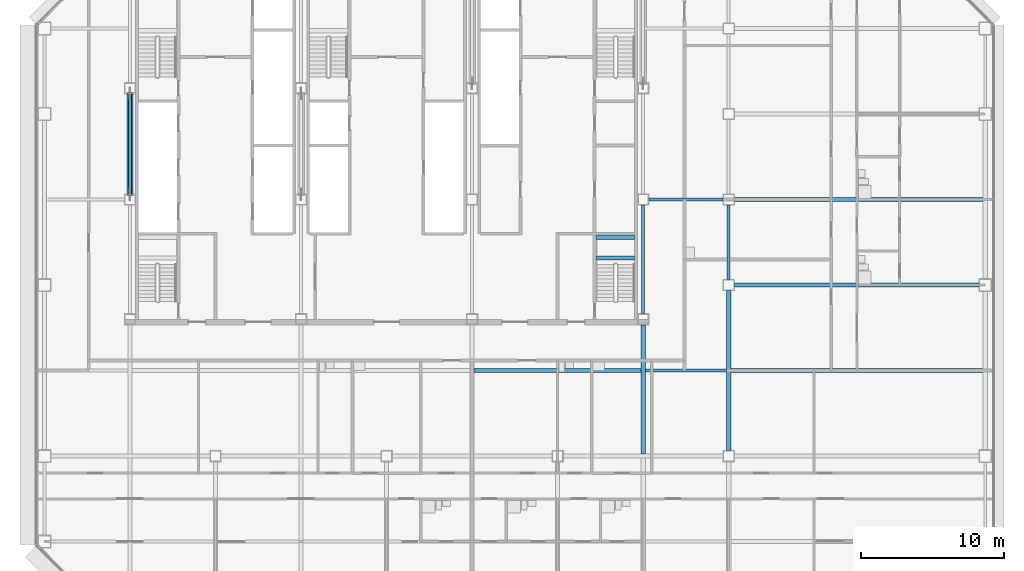
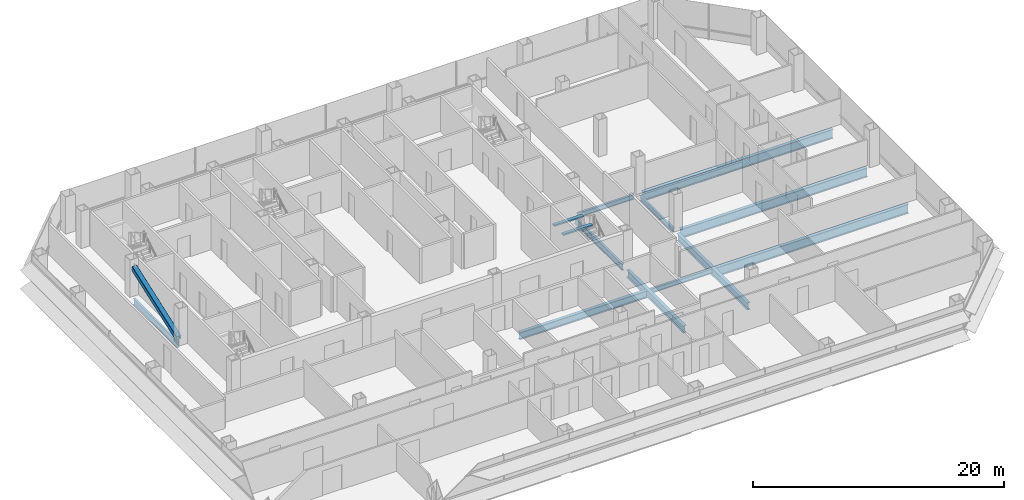
# One storey, part 10 of 26: 13 beams, 1 member.
"""IFC4 building model written with IfcOpenShell, lengths in metres."""

from ifc_helpers import new_model, si_unit, direction, frame, origin, origin_2d, place, context, subcontext, project, spatial, rectangle, hollow_rectangle, i_section, extrude, material, material_profile, profile_set, type_object, element, save


model = new_model("IFC4")

# Units and contexts
model_context = context("Model", 3, precision=1e-05, world=origin(), true_north=direction((0.0, 1.0)))
body_context = subcontext(model_context, "Body", "Model", "MODEL_VIEW")
ifc_project = project(units=[si_unit("LENGTHUNIT", "METRE"), si_unit("AREAUNIT", "SQUARE_METRE"), si_unit("VOLUMEUNIT", "CUBIC_METRE"), si_unit("PLANEANGLEUNIT", "RADIAN"), si_unit("MASSUNIT", "GRAM", prefix="KILO")], contexts=[model_context])

# Site, building, storey
site_placement = place(None, origin())
site = spatial("IfcSite", under=ifc_project, at=site_placement, CompositionType="ELEMENT")
building_placement = place(site_placement, origin())
building = spatial("IfcBuilding", under=site, at=building_placement, Name="Sorahane Residences", CompositionType="ELEMENT")
storey_placement = place(building_placement, frame((0.0, 0.0, 71.39990234375)))
storey = spatial("IfcBuildingStorey", under=building, at=storey_placement, Name="L14", CompositionType="ELEMENT", Elevation=71.39990234375)

# Member
ifc_material_1 = material(Name="Steel Q355B", Category="steel")
ifc_material_profile_1 = material_profile(ifc_material_1, hollow_rectangle(XDim=0.449951171875, YDim=0.449951171875, WallThickness=0.02197265625, InnerFilletRadius=0.010986328125, OuterFilletRadius=0.032958984375, at=origin_2d()), Name="RHS 450x450x22")
ifc_profile_set_1 = profile_set([ifc_material_profile_1], Name="Steel Q355B")
member_type = type_object("IfcMemberType", Name="Core brace RHS 450x450x22 Q355B", PredefinedType="BRACE", material=ifc_profile_set_1)
member_placement = place(storey_placement, frame((6.0, 30.354248046875, 0.208740234375), z_axis=(0.0, 0.940896908935, 0.338693086371), x_axis=(-1.0, 0.0, 0.0)))
element("IfcMember", 1, at=member_placement, inside=storey, type_object=member_type, Name="Core brace L14 x6-2", PredefinedType="BRACE", context=body_context, shape_type="SweptSolid", body=[
    extrude(hollow_rectangle(XDim=0.449951171875, YDim=0.449951171875, WallThickness=0.02197265625, InnerFilletRadius=0.010986328125, OuterFilletRadius=0.032958984375, at=origin_2d()), origin(), (0.0, 0.0, 1.0), 7.537109375),
])

# Beams
ifc_material_2 = material(Name="Concrete C40", Category="concrete")
ifc_material_profile_2 = material_profile(ifc_material_2, rectangle(XDim=0.300048828125, YDim=0.139892578125, at=origin_2d()), Name="300x140")
ifc_profile_set_2 = profile_set([ifc_material_profile_2], Name="Concrete C40")
beam_type_1 = type_object("IfcBeamType", Name="RC landing beam 300 x 140 Concrete C40", PredefinedType="BEAM", material=ifc_profile_set_2)
for number, where, z_axis, x_axis, name in (
    (2, (38.699951171875, 25.89990234375, 1.530029296875), (1.0, 0.0, 0.0), (0.0, 1.0, 0.0), "Landing beam"),
    (3, (38.699951171875, 27.35009765625, 1.530029296875), (1.0, 0.0, 0.0), (0.0, 1.0, 0.0), "Landing beam"),
):
    element("IfcBeam", number, at=place(storey_placement, frame(where, z_axis=z_axis, x_axis=x_axis)), inside=storey, type_object=beam_type_1, Name=name, PredefinedType="BEAM", context=body_context, shape_type="SweptSolid", body=[
        extrude(rectangle(XDim=0.300048828125, YDim=0.139892578125, at=origin_2d()), origin(), (0.0, 0.0, 1.0), 2.699951171875),
    ])
ifc_material_3 = material(Name="Steel Q355B", Category="steel")
ifc_material_profile_3 = material_profile(ifc_material_3, i_section(OverallWidth=0.199951171875, OverallDepth=0.449951171875, WebThickness=0.009033203125, FlangeThickness=0.013916015625, FilletRadius=0.02001953125, at=origin_2d()), Name="HN 450x200x9x14")
ifc_profile_set_3 = profile_set([ifc_material_profile_3], Name="Steel Q355B")
beam_type_2 = type_object("IfcBeamType", Name="Steel floor beam HN 450x200x9x14 Q355B", PredefinedType="BEAM", material=ifc_profile_set_3)
beam_1_placement = place(storey_placement, frame((48.0, 24.39990234375, -0.40478515625), z_axis=(0.0, 1.0, 0.0), x_axis=(-1.0, 0.0, 0.0)))
element("IfcBeam", 4, at=beam_1_placement, inside=storey, type_object=beam_type_2, Name="Beam L14 053", PredefinedType="BEAM", context=body_context, shape_type="SweptSolid", body=[
    extrude(i_section(OverallWidth=0.199951171875, OverallDepth=0.449951171875, WebThickness=0.009033203125, FlangeThickness=0.013916015625, FilletRadius=0.02001953125, at=origin_2d()), origin(), (0.0, 0.0, 1.0), 5.2001953125),
])
beam_2_placement = place(storey_placement, frame((42.14990234375, 18.0, -0.40478515625), z_axis=(1.0, 0.0, 0.0), x_axis=(0.0, 1.0, 0.0)))
element("IfcBeam", 5, at=beam_2_placement, inside=storey, type_object=beam_type_2, Name="Beam L14 074", PredefinedType="BEAM", context=body_context, shape_type="SweptSolid", body=[
    extrude(i_section(OverallWidth=0.199951171875, OverallDepth=0.449951171875, WebThickness=0.009033203125, FlangeThickness=0.013916015625, FilletRadius=0.02001953125, at=origin_2d()), origin(), (0.0, 0.0, 1.0), 5.7001953125),
])
beam_3_placement = place(storey_placement, frame((42.39990234375, 30.0, -0.40478515625), z_axis=(1.0, 0.0, 0.0), x_axis=(0.0, 1.0, 0.0)))
element("IfcBeam", 6, at=beam_3_placement, inside=storey, type_object=beam_type_2, Name="Beam L14 077", PredefinedType="BEAM", context=body_context, shape_type="SweptSolid", body=[
    extrude(i_section(OverallWidth=0.199951171875, OverallDepth=0.449951171875, WebThickness=0.009033203125, FlangeThickness=0.013916015625, FilletRadius=0.02001953125, at=origin_2d()), origin(), (0.0, 0.0, 1.0), 5.2001953125),
])
ifc_material_4 = material(Name="Steel Q355B", Category="steel")
ifc_material_profile_4 = material_profile(ifc_material_4, i_section(OverallWidth=0.199951171875, OverallDepth=0.60009765625, WebThickness=0.010986328125, FlangeThickness=0.01708984375, FilletRadius=0.02392578125, at=origin_2d()), Name="HN 600x200x11x17")
ifc_profile_set_4 = profile_set([ifc_material_profile_4], Name="Steel Q355B")
beam_type_3 = type_object("IfcBeamType", Name="Steel floor beam HN 600x200x11x17 Q355B", PredefinedType="BEAM", material=ifc_profile_set_4)
beam_4_placement = place(storey_placement, frame((6.0, 30.39990234375, -0.47998046875), z_axis=(0.0, 1.0, 0.0), x_axis=(-1.0, 0.0, 0.0)))
element("IfcBeam", 7, at=beam_4_placement, inside=storey, type_object=beam_type_3, Name="Beam L14 024", PredefinedType="BEAM", context=body_context, shape_type="SweptSolid", body=[
    extrude(i_section(OverallWidth=0.199951171875, OverallDepth=0.60009765625, WebThickness=0.010986328125, FlangeThickness=0.01708984375, FilletRadius=0.02392578125, at=origin_2d()), origin(), (0.0, 0.0, 1.0), 7.0),
])
beam_5_placement = place(storey_placement, frame((42.0, 22.0, -0.47998046875), z_axis=(0.0, 1.0, 0.0), x_axis=(-1.0, 0.0, 0.0)))
element("IfcBeam", 8, at=beam_5_placement, inside=storey, type_object=beam_type_3, Name="Beam L14 047", PredefinedType="BEAM", context=body_context, shape_type="SweptSolid", body=[
    extrude(i_section(OverallWidth=0.199951171875, OverallDepth=0.60009765625, WebThickness=0.010986328125, FlangeThickness=0.01708984375, FilletRadius=0.02392578125, at=origin_2d()), origin(), (0.0, 0.0, 1.0), 7.60009765625),
])
ifc_material_5 = material(Name="Steel Q355B", Category="steel")
ifc_material_profile_5 = material_profile(ifc_material_5, i_section(OverallWidth=0.300048828125, OverallDepth=0.699951171875, WebThickness=0.012939453125, FlangeThickness=0.02392578125, FilletRadius=0.028076171875, at=origin_2d()), Name="HN 700x300x13x24")
ifc_profile_set_5 = profile_set([ifc_material_profile_5], Name="Steel Q355B")
beam_type_4 = type_object("IfcBeamType", Name="Steel floor beam HN 700x300x13x24 Q355B", PredefinedType="BEAM", material=ifc_profile_set_5)
beam_6_placement = place(storey_placement, frame((42.0, 12.14990234375, -0.52978515625), z_axis=(0.0, 1.0, 0.0), x_axis=(-1.0, 0.0, 0.0)))
element("IfcBeam", 9, at=beam_6_placement, inside=storey, type_object=beam_type_4, Name="Beam L14 046", PredefinedType="BEAM", context=body_context, shape_type="SweptSolid", body=[
    extrude(i_section(OverallWidth=0.300048828125, OverallDepth=0.699951171875, WebThickness=0.012939453125, FlangeThickness=0.02392578125, FilletRadius=0.028076171875, at=origin_2d()), origin(), (0.0, 0.0, 1.0), 9.050048828125),
])
beam_7_placement = place(storey_placement, frame((48.0, 12.39990234375, -0.52978515625), z_axis=(0.0, 1.0, 0.0), x_axis=(-1.0, 0.0, 0.0)))
element("IfcBeam", 10, at=beam_7_placement, inside=storey, type_object=beam_type_4, Name="Beam L14 052", PredefinedType="BEAM", context=body_context, shape_type="SweptSolid", body=[
    extrude(i_section(OverallWidth=0.300048828125, OverallDepth=0.699951171875, WebThickness=0.012939453125, FlangeThickness=0.02392578125, FilletRadius=0.028076171875, at=origin_2d()), origin(), (0.0, 0.0, 1.0), 11.2001953125),
])
beam_8_placement = place(storey_placement, frame((30.14990234375, 18.0, -0.52978515625), z_axis=(1.0, 0.0, 0.0), x_axis=(0.0, 1.0, 0.0)))
element("IfcBeam", 11, at=beam_8_placement, inside=storey, type_object=beam_type_4, Name="Beam L14 073", PredefinedType="BEAM", context=body_context, shape_type="SweptSolid", body=[
    extrude(i_section(OverallWidth=0.300048828125, OverallDepth=0.699951171875, WebThickness=0.012939453125, FlangeThickness=0.02392578125, FilletRadius=0.028076171875, at=origin_2d()), origin(), (0.0, 0.0, 1.0), 11.7001953125),
])
ifc_material_6 = material(Name="Steel Q355B", Category="steel")
ifc_material_profile_6 = material_profile(ifc_material_6, i_section(OverallWidth=0.300048828125, OverallDepth=0.89990234375, WebThickness=0.01611328125, FlangeThickness=0.028076171875, FilletRadius=0.028076171875, at=origin_2d()), Name="HN 900x300x16x28")
ifc_profile_set_6 = profile_set([ifc_material_profile_6], Name="Steel Q355B")
beam_type_5 = type_object("IfcBeamType", Name="Steel floor beam HN 900x300x16x28 Q355B", PredefinedType="BEAM", material=ifc_profile_set_6)
beam_9_placement = place(storey_placement, frame((48.39990234375, 24.0, -0.6298828125), z_axis=(1.0, 0.0, 0.0), x_axis=(0.0, 1.0, 0.0)))
element("IfcBeam", 12, at=beam_9_placement, inside=storey, type_object=beam_type_5, Name="Beam L14 010", PredefinedType="BEAM", context=body_context, shape_type="SweptSolid", body=[
    extrude(i_section(OverallWidth=0.300048828125, OverallDepth=0.89990234375, WebThickness=0.01611328125, FlangeThickness=0.028076171875, FilletRadius=0.028076171875, at=origin_2d()), origin(), (0.0, 0.0, 1.0), 17.150146484375),
])
beam_10_placement = place(storey_placement, frame((48.14990234375, 18.0, -0.6298828125), z_axis=(1.0, 0.0, 0.0), x_axis=(0.0, 1.0, 0.0)))
element("IfcBeam", 13, at=beam_10_placement, inside=storey, type_object=beam_type_5, Name="Beam L14 075", PredefinedType="BEAM", context=body_context, shape_type="SweptSolid", body=[
    extrude(i_section(OverallWidth=0.300048828125, OverallDepth=0.89990234375, WebThickness=0.01611328125, FlangeThickness=0.028076171875, FilletRadius=0.028076171875, at=origin_2d()), origin(), (0.0, 0.0, 1.0), 17.7001953125),
])
beam_11_placement = place(storey_placement, frame((48.39990234375, 30.0, -0.6298828125), z_axis=(1.0, 0.0, 0.0), x_axis=(0.0, 1.0, 0.0)))
element("IfcBeam", 14, at=beam_11_placement, inside=storey, type_object=beam_type_5, Name="Beam L14 078", PredefinedType="BEAM", context=body_context, shape_type="SweptSolid", body=[
    extrude(i_section(OverallWidth=0.300048828125, OverallDepth=0.89990234375, WebThickness=0.01611328125, FlangeThickness=0.028076171875, FilletRadius=0.028076171875, at=origin_2d()), origin(), (0.0, 0.0, 1.0), 17.4501953125),
])

save(model, "model.ifc")
